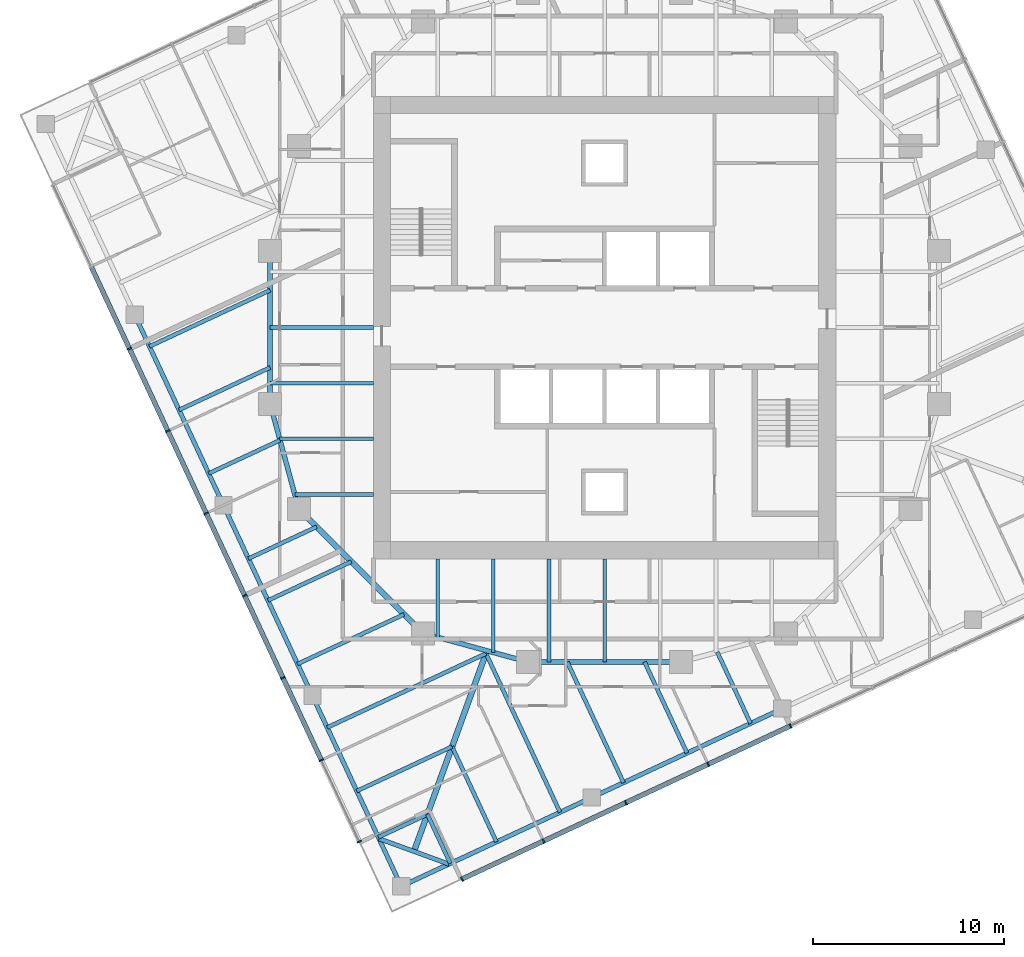
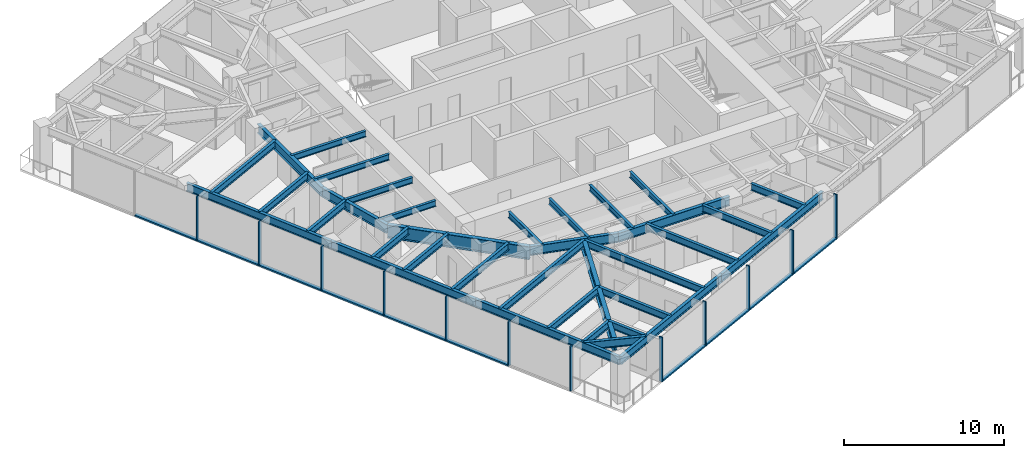
# One storey, part 2 of 13: 35 beams, 22 members, 2 elements without a shape of their own.
"""IFC4 building model written with IfcOpenShell, lengths in metres."""

from ifc_helpers import new_model, si_unit, direction, frame, origin, origin_2d, place, context, subcontext, project, spatial, rectangle, i_section, extrude, material, material_profile, profile_set, type_object, element, aggregate, save


model = new_model("IFC4")

# Units and contexts
model_context = context("Model", 3, precision=1e-05, world=origin(), true_north=direction((0.0, 1.0)))
body_context = subcontext(model_context, "Body", "Model", "MODEL_VIEW")
ifc_project = project(units=[si_unit("LENGTHUNIT", "METRE"), si_unit("AREAUNIT", "SQUARE_METRE"), si_unit("VOLUMEUNIT", "CUBIC_METRE"), si_unit("PLANEANGLEUNIT", "RADIAN"), si_unit("MASSUNIT", "GRAM", prefix="KILO")], contexts=[model_context])

# Site, building, storey
site_placement = place(None, origin())
site = spatial("IfcSite", under=ifc_project, at=site_placement, CompositionType="ELEMENT")
building_placement = place(site_placement, origin())
building = spatial("IfcBuilding", under=site, at=building_placement, Name="Torsade Residences", CompositionType="ELEMENT")
storey_placement = place(building_placement, frame((0.0, 0.0, 179.39990234375)))
storey = spatial("IfcBuildingStorey", under=building, at=storey_placement, Name="L49", CompositionType="ELEMENT", Elevation=179.39990234375)

# Beams
ifc_material_1 = material(Name="Steel grade 300", Category="steel")
ifc_material_profile_1 = material_profile(ifc_material_1, i_section(OverallWidth=0.300048828125, OverallDepth=0.89990234375, WebThickness=0.011962890625, FlangeThickness=0.02490234375, at=origin_2d()), Name="900WB175")
ifc_profile_set_1 = profile_set([ifc_material_profile_1], Name="Steel grade 300")
beam_type_1 = type_object("IfcBeamType", Name="CORNER GIRDER 900WB175", PredefinedType="BEAM", material=ifc_profile_set_1)
beam_1_placement = place(storey_placement, frame((30.02392578125, 2.5908203125, 2.800048828125), z_axis=(0.342015044723, 0.93969447651, 0.0), x_axis=(-0.93969447651, 0.342015044723, 0.0)))
element("IfcBeam", 1, at=beam_1_placement, inside=storey, type_object=beam_type_1, Name="Corner girder 01 L50", PredefinedType="BEAM", context=body_context, shape_type="SweptSolid", body=[
    extrude(i_section(OverallWidth=0.300048828125, OverallDepth=0.89990234375, WebThickness=0.011962890625, FlangeThickness=0.02490234375, at=origin_2d()), origin(), (0.0, 0.0, 1.0), 11.170654296875),
])
ifc_material_2 = material(Name="Steel grade 300", Category="steel")
ifc_material_profile_2 = material_profile(ifc_material_2, i_section(OverallWidth=0.22802734375, OverallDepth=0.60205078125, WebThickness=0.010498046875, FlangeThickness=0.014892578125, FilletRadius=0.013916015625, at=origin_2d()), Name="610UB101")
ifc_profile_set_2 = profile_set([ifc_material_profile_2], Name="Steel grade 300")
beam_type_2 = type_object("IfcBeamType", Name="CORNER TRIMMER 610UB101", PredefinedType="BEAM", material=ifc_profile_set_2)
beam_2_placement = place(storey_placement, frame((31.85107421875, 1.92578125, 2.94921875), z_axis=(-0.939698076972, 0.342005152204, 0.0), x_axis=(-0.342005152204, -0.939698076972, 0.0)))
element("IfcBeam", 2, at=beam_2_placement, inside=storey, type_object=beam_type_2, Name="Corner trimmer 01 L50", PredefinedType="BEAM", context=body_context, shape_type="SweptSolid", body=[
    extrude(i_section(OverallWidth=0.22802734375, OverallDepth=0.60205078125, WebThickness=0.010498046875, FlangeThickness=0.014892578125, FilletRadius=0.013916015625, at=origin_2d()), origin(), (0.0, 0.0, 1.0), 3.88916015625),
])
ifc_material_3 = material(Name="Steel grade 300", Category="steel")
ifc_material_profile_3 = material_profile(ifc_material_3, i_section(OverallWidth=0.22900390625, OverallDepth=0.612060546875, WebThickness=0.011962890625, FlangeThickness=0.01953125, FilletRadius=0.013916015625, at=origin_2d()), Name="610UB125")
ifc_profile_set_3 = profile_set([ifc_material_profile_3], Name="Steel grade 300")
beam_type_3 = type_object("IfcBeamType", Name="EDGE BEAM 610UB125", PredefinedType="SPANDREL", material=ifc_profile_set_3)
beam_3_placement = place(storey_placement, frame((29.35888671875, 0.763671875, 2.944091796875), z_axis=(0.906309546032, 0.422614489543, 0.0), x_axis=(-0.422614489543, 0.906309546032, 0.0)))
element("IfcBeam", 3, at=beam_3_placement, inside=storey, type_object=beam_type_3, Name="Edge beam 01 L50", PredefinedType="SPANDREL", context=body_context, shape_type="SweptSolid", body=[
    extrude(i_section(OverallWidth=0.22900390625, OverallDepth=0.612060546875, WebThickness=0.011962890625, FlangeThickness=0.01953125, FilletRadius=0.013916015625, at=origin_2d()), origin(), (0.0, 0.0, 1.0), 10.999755859375),
])
for number, where, z_axis, x_axis, name in (
    (4, (39.328125, 5.412353515625, 2.944091796875), (0.906305009094, 0.422624219007, 0.0), (-0.422624219007, 0.906305009094, 0.0), "Edge beam 02 L50"),
    (5, (15.412353515625, 30.671875, 2.944091796875), (0.422624219007, -0.906305009094, 0.0), (0.906305009094, 0.422624219007, 0.0), "Edge beam 14 L50"),
):
    element("IfcBeam", number, at=place(storey_placement, frame(where, z_axis=z_axis, x_axis=x_axis)), inside=storey, type_object=beam_type_3, Name=name, PredefinedType="SPANDREL", context=body_context, shape_type="SweptSolid", body=[
        extrude(i_section(OverallWidth=0.22900390625, OverallDepth=0.612060546875, WebThickness=0.011962890625, FlangeThickness=0.01953125, FilletRadius=0.013916015625, at=origin_2d()), origin(), (0.0, 0.0, 1.0), 11.000244140625),
    ])
for number, where, z_axis, x_axis, name in (
    (6, (20.061279296875, 20.702392578125, 2.944091796875), (0.422605988587, -0.906313510001, 0.0), (0.906313510001, 0.422605988587, 0.0), "Edge beam 15 L50"),
    (7, (24.7099609375, 10.73291015625, 2.944091796875), (0.422632720171, -0.90630104482, 0.0), (0.90630104482, 0.422632720171, 0.0), "Edge beam 16 L50"),
):
    element("IfcBeam", number, at=place(storey_placement, frame(where, z_axis=z_axis, x_axis=x_axis)), inside=storey, type_object=beam_type_3, Name=name, PredefinedType="SPANDREL", context=body_context, shape_type="SweptSolid", body=[
        extrude(i_section(OverallWidth=0.22900390625, OverallDepth=0.612060546875, WebThickness=0.011962890625, FlangeThickness=0.01953125, FilletRadius=0.013916015625, at=origin_2d()), origin(), (0.0, 0.0, 1.0), 11.0),
    ])
ifc_material_4 = material(Name="Steel grade 300", Category="steel")
ifc_material_profile_4 = material_profile(ifc_material_4, i_section(OverallWidth=0.18994140625, OverallDepth=0.4541015625, WebThickness=0.008544921875, FlangeThickness=0.0126953125, FilletRadius=0.011474609375, at=origin_2d()), Name="460UB67.1")
ifc_profile_set_4 = profile_set([ifc_material_profile_4], Name="Steel grade 300")
beam_type_4 = type_object("IfcBeamType", Name="INNER FLOOR BEAM 460UB67.1", PredefinedType="JOIST", material=ifc_profile_set_4)
for number, where, z_axis, x_axis, name in (
    (8, (40.0, 17.89990234375, 3.023193359375), (0.0, -1.0, 0.0), (1.0, 0.0, 0.0), "Inner floor beam IS04 L50"),
    (9, (37.08740234375, 17.89990234375, 3.023193359375), (0.0, -1.0, 0.0), (1.0, 0.0, 0.0), "Inner floor beam IS05 L50"),
):
    element("IfcBeam", number, at=place(storey_placement, frame(where, z_axis=z_axis, x_axis=x_axis)), inside=storey, type_object=beam_type_4, Name=name, PredefinedType="JOIST", context=body_context, shape_type="SweptSolid", body=[
        extrude(i_section(OverallWidth=0.18994140625, OverallDepth=0.4541015625, WebThickness=0.008544921875, FlangeThickness=0.0126953125, FilletRadius=0.011474609375, at=origin_2d()), origin(), (0.0, 0.0, 1.0), 5.39990234375),
    ])
beam_4_placement = place(storey_placement, frame((34.175048828125, 17.89990234375, 3.023193359375), z_axis=(0.0, -1.0, 0.0), x_axis=(1.0, 0.0, 0.0)))
element("IfcBeam", 10, at=beam_4_placement, inside=storey, type_object=beam_type_4, Name="Inner floor beam IS06 L50", PredefinedType="JOIST", context=body_context, shape_type="SweptSolid", body=[
    extrude(i_section(OverallWidth=0.18994140625, OverallDepth=0.4541015625, WebThickness=0.008544921875, FlangeThickness=0.0126953125, FilletRadius=0.011474609375, at=origin_2d()), origin(), (0.0, 0.0, 1.0), 4.902099609375),
])
beam_5_placement = place(storey_placement, frame((31.262451171875, 17.89990234375, 3.023193359375), z_axis=(0.0, -1.0, 0.0), x_axis=(1.0, 0.0, 0.0)))
element("IfcBeam", 11, at=beam_5_placement, inside=storey, type_object=beam_type_4, Name="Inner floor beam IS07 L50", PredefinedType="JOIST", context=body_context, shape_type="SweptSolid", body=[
    extrude(i_section(OverallWidth=0.18994140625, OverallDepth=0.4541015625, WebThickness=0.008544921875, FlangeThickness=0.0126953125, FilletRadius=0.011474609375, at=origin_2d()), origin(), (0.0, 0.0, 1.0), 4.10791015625),
])
for number, where, z_axis, x_axis, name in (
    (12, (27.89990234375, 30.0, 3.023193359375), (-1.0, 0.0, 0.0), (0.0, -1.0, 0.0), "Inner floor beam IW04 L50"),
    (13, (27.89990234375, 27.08740234375, 3.023193359375), (-1.0, 0.0, 0.0), (0.0, -1.0, 0.0), "Inner floor beam IW05 L50"),
):
    element("IfcBeam", number, at=place(storey_placement, frame(where, z_axis=z_axis, x_axis=x_axis)), inside=storey, type_object=beam_type_4, Name=name, PredefinedType="JOIST", context=body_context, shape_type="SweptSolid", body=[
        extrude(i_section(OverallWidth=0.18994140625, OverallDepth=0.4541015625, WebThickness=0.008544921875, FlangeThickness=0.0126953125, FilletRadius=0.011474609375, at=origin_2d()), origin(), (0.0, 0.0, 1.0), 5.39990234375),
    ])
beam_6_placement = place(storey_placement, frame((27.89990234375, 24.175048828125, 3.023193359375), z_axis=(-1.0, 0.0, 0.0), x_axis=(0.0, -1.0, 0.0)))
element("IfcBeam", 14, at=beam_6_placement, inside=storey, type_object=beam_type_4, Name="Inner floor beam IW06 L50", PredefinedType="JOIST", context=body_context, shape_type="SweptSolid", body=[
    extrude(i_section(OverallWidth=0.18994140625, OverallDepth=0.4541015625, WebThickness=0.008544921875, FlangeThickness=0.0126953125, FilletRadius=0.011474609375, at=origin_2d()), origin(), (0.0, 0.0, 1.0), 4.902099609375),
])
beam_7_placement = place(storey_placement, frame((27.89990234375, 21.262451171875, 3.023193359375), z_axis=(-1.0, 0.0, 0.0), x_axis=(0.0, -1.0, 0.0)))
element("IfcBeam", 15, at=beam_7_placement, inside=storey, type_object=beam_type_4, Name="Inner floor beam IW07 L50", PredefinedType="JOIST", context=body_context, shape_type="SweptSolid", body=[
    extrude(i_section(OverallWidth=0.18994140625, OverallDepth=0.4541015625, WebThickness=0.008544921875, FlangeThickness=0.0126953125, FilletRadius=0.011474609375, at=origin_2d()), origin(), (0.0, 0.0, 1.0), 4.10791015625),
])

# Curtain wall, members
ifc_material_5 = material(Name="Aluminium and glass", Category="aluminium")
curtain_wall_type = type_object("IfcCurtainWallType", Name="FRITTED GLASS CURTAIN WALL MID ZONE", PredefinedType="NOTDEFINED", material=ifc_material_5)
curtain_wall_1_placement = place(storey_placement, origin())
curtain_wall_1 = element("IfcCurtainWall", 16, at=curtain_wall_1_placement, inside=storey, type_object=curtain_wall_type, Name="Curtain wall L49 face 1", PredefinedType="NOTDEFINED")
ifc_material_6 = material(Name="Aluminium mullion", Category="aluminium")
ifc_material_profile_5 = material_profile(ifc_material_6, rectangle(XDim=0.25, YDim=0.080078125, at=origin_2d()), Name="MID ZONE CURTAIN WALL MULLION 250x80")
ifc_profile_set_5 = profile_set([ifc_material_profile_5], Name="Aluminium mullion")
member_type_1 = type_object("IfcMemberType", Name="MID ZONE CURTAIN WALL MULLION 250x80", PredefinedType="MULLION", material=ifc_profile_set_5)
member_1_placement = place(storey_placement, frame((32.53662109375, 1.14208984375, 0.0), z_axis=(0.0, 0.0, 1.0), x_axis=(-0.422618261978, 0.906307786926, 0.0)))
member_1 = element("IfcMember", 17, at=member_1_placement, type_object=member_type_1, Name="Mullion 1", PredefinedType="MULLION", context=body_context, shape_type="SweptSolid", body=[
    extrude(rectangle(XDim=0.25, YDim=0.080078125, at=origin_2d()), origin(), (0.0, 0.0, 1.0), 3.400146484375),
])
member_2_placement = place(storey_placement, frame((36.805419921875, 3.132568359375, 0.0), z_axis=(0.0, 0.0, 1.0), x_axis=(-0.422618261978, 0.906307786926, 0.0)))
member_2 = element("IfcMember", 18, at=member_2_placement, type_object=member_type_1, Name="Mullion 2", PredefinedType="MULLION", context=body_context, shape_type="SweptSolid", body=[
    extrude(rectangle(XDim=0.25, YDim=0.080078125, at=origin_2d()), origin(), (0.0, 0.0, 1.0), 3.400146484375),
])
member_3_placement = place(storey_placement, frame((41.1103515625, 5.14013671875, 0.0), z_axis=(0.0, 0.0, 1.0), x_axis=(-0.422618261978, 0.906307786926, 0.0)))
member_3 = element("IfcMember", 19, at=member_3_placement, type_object=member_type_1, Name="Mullion 3", PredefinedType="MULLION", context=body_context, shape_type="SweptSolid", body=[
    extrude(rectangle(XDim=0.25, YDim=0.080078125, at=origin_2d()), origin(), (0.0, 0.0, 1.0), 3.400146484375),
])
member_4_placement = place(storey_placement, frame((45.415283203125, 7.1474609375, 0.0), z_axis=(0.0, 0.0, 1.0), x_axis=(-0.422618261978, 0.906307786926, 0.0)))
member_4 = element("IfcMember", 20, at=member_4_placement, type_object=member_type_1, Name="Mullion 4", PredefinedType="MULLION", context=body_context, shape_type="SweptSolid", body=[
    extrude(rectangle(XDim=0.25, YDim=0.080078125, at=origin_2d()), origin(), (0.0, 0.0, 1.0), 3.400146484375),
])
member_5_placement = place(storey_placement, frame((49.72021484375, 9.155029296875, 0.0), z_axis=(0.0, 0.0, 1.0), x_axis=(-0.422618261978, 0.906307786926, 0.0)))
member_5 = element("IfcMember", 21, at=member_5_placement, type_object=member_type_1, Name="Mullion 5", PredefinedType="MULLION", context=body_context, shape_type="SweptSolid", body=[
    extrude(rectangle(XDim=0.25, YDim=0.080078125, at=origin_2d()), origin(), (0.0, 0.0, 1.0), 3.400146484375),
])

curtain_wall_2_placement = place(storey_placement, origin())
curtain_wall_2 = element("IfcCurtainWall", 22, at=curtain_wall_2_placement, inside=storey, type_object=curtain_wall_type, Name="Curtain wall L49 face 10", PredefinedType="NOTDEFINED")
member_6_placement = place(storey_placement, frame((15.14013671875, 28.8896484375, 0.0), z_axis=(0.0, 0.0, 1.0), x_axis=(0.906307786926, 0.422618261978, 0.0)))
member_6 = element("IfcMember", 23, at=member_6_placement, type_object=member_type_1, Name="Mullion 3", PredefinedType="MULLION", context=body_context, shape_type="SweptSolid", body=[
    extrude(rectangle(XDim=0.25, YDim=0.080078125, at=origin_2d()), origin(), (0.0, 0.0, 1.0), 3.400146484375),
])
member_7_placement = place(storey_placement, frame((17.1474609375, 24.584716796875, 0.0), z_axis=(0.0, 0.0, 1.0), x_axis=(0.906307786926, 0.422618261978, 0.0)))
member_7 = element("IfcMember", 24, at=member_7_placement, type_object=member_type_1, Name="Mullion 4", PredefinedType="MULLION", context=body_context, shape_type="SweptSolid", body=[
    extrude(rectangle(XDim=0.25, YDim=0.080078125, at=origin_2d()), origin(), (0.0, 0.0, 1.0), 3.400146484375),
])
member_8_placement = place(storey_placement, frame((19.155029296875, 20.27978515625, 0.0), z_axis=(0.0, 0.0, 1.0), x_axis=(0.906307786926, 0.422618261978, 0.0)))
member_8 = element("IfcMember", 25, at=member_8_placement, type_object=member_type_1, Name="Mullion 5", PredefinedType="MULLION", context=body_context, shape_type="SweptSolid", body=[
    extrude(rectangle(XDim=0.25, YDim=0.080078125, at=origin_2d()), origin(), (0.0, 0.0, 1.0), 3.400146484375),
])
member_9_placement = place(storey_placement, frame((21.162353515625, 15.974853515625, 0.0), z_axis=(0.0, 0.0, 1.0), x_axis=(0.906307786926, 0.422618261978, 0.0)))
member_9 = element("IfcMember", 26, at=member_9_placement, type_object=member_type_1, Name="Mullion 6", PredefinedType="MULLION", context=body_context, shape_type="SweptSolid", body=[
    extrude(rectangle(XDim=0.25, YDim=0.080078125, at=origin_2d()), origin(), (0.0, 0.0, 1.0), 3.400146484375),
])
member_10_placement = place(storey_placement, frame((23.169677734375, 11.669921875, 0.0), z_axis=(0.0, 0.0, 1.0), x_axis=(0.906307786926, 0.422618261978, 0.0)))
member_10 = element("IfcMember", 27, at=member_10_placement, type_object=member_type_1, Name="Mullion 7", PredefinedType="MULLION", context=body_context, shape_type="SweptSolid", body=[
    extrude(rectangle(XDim=0.25, YDim=0.080078125, at=origin_2d()), origin(), (0.0, 0.0, 1.0), 3.400146484375),
])
member_11_placement = place(storey_placement, frame((25.17724609375, 7.364990234375, 0.0), z_axis=(0.0, 0.0, 1.0), x_axis=(0.906307786926, 0.422618261978, 0.0)))
member_11 = element("IfcMember", 28, at=member_11_placement, type_object=member_type_1, Name="Mullion 8", PredefinedType="MULLION", context=body_context, shape_type="SweptSolid", body=[
    extrude(rectangle(XDim=0.25, YDim=0.080078125, at=origin_2d()), origin(), (0.0, 0.0, 1.0), 3.400146484375),
])
member_12_placement = place(storey_placement, frame((27.167724609375, 3.09619140625, 0.0), z_axis=(0.0, 0.0, 1.0), x_axis=(0.906307786926, 0.422618261978, 0.0)))
member_12 = element("IfcMember", 29, at=member_12_placement, type_object=member_type_1, Name="Mullion 9", PredefinedType="MULLION", context=body_context, shape_type="SweptSolid", body=[
    extrude(rectangle(XDim=0.25, YDim=0.080078125, at=origin_2d()), origin(), (0.0, 0.0, 1.0), 3.400146484375),
])

# Member
ifc_material_7 = material(Name="Aluminium transom", Category="aluminium")
ifc_material_profile_6 = material_profile(ifc_material_7, rectangle(XDim=0.25, YDim=0.110107421875, at=origin_2d()), Name="MID ZONE CURTAIN WALL TRANSOM 250x110")
ifc_profile_set_6 = profile_set([ifc_material_profile_6], Name="Aluminium transom")
member_type_2 = type_object("IfcMemberType", Name="MID ZONE CURTAIN WALL TRANSOM 250x110", PredefinedType="USERDEFINED", material=ifc_profile_set_6)
member_13_placement = place(storey_placement, frame((32.572998046875, 1.158935546875, 0.05517578125), z_axis=(0.906296268578, 0.422642962277, 0.0), x_axis=(-0.422642962277, 0.906296268578, 0.0)))
member_13 = element("IfcMember", 30, at=member_13_placement, type_object=member_type_2, Name="Transom 1.1", ObjectType="TRANSOM", PredefinedType="USERDEFINED", context=body_context, shape_type="SweptSolid", body=[
    extrude(rectangle(XDim=0.25, YDim=0.110107421875, at=origin_2d()), origin(), (0.0, 0.0, 1.0), 4.6298828125),
])

member_14_placement = place(storey_placement, frame((36.841552734375, 3.1494140625, 0.05517578125), z_axis=(0.906305976097, 0.422622145291, 0.0), x_axis=(-0.422622145291, 0.906305976097, 0.0)))
member_14 = element("IfcMember", 31, at=member_14_placement, type_object=member_type_2, Name="Transom 2.1", ObjectType="TRANSOM", PredefinedType="USERDEFINED", context=body_context, shape_type="SweptSolid", body=[
    extrude(rectangle(XDim=0.25, YDim=0.110107421875, at=origin_2d()), origin(), (0.0, 0.0, 1.0), 4.669921875),
])

member_15_placement = place(storey_placement, frame((41.146484375, 5.156982421875, 0.05517578125), z_axis=(0.906305976097, 0.422622145291, 0.0), x_axis=(-0.422622145291, 0.906305976097, 0.0)))
member_15 = element("IfcMember", 32, at=member_15_placement, type_object=member_type_2, Name="Transom 3.1", ObjectType="TRANSOM", PredefinedType="USERDEFINED", context=body_context, shape_type="SweptSolid", body=[
    extrude(rectangle(XDim=0.25, YDim=0.110107421875, at=origin_2d()), origin(), (0.0, 0.0, 1.0), 4.669921875),
])

member_16_placement = place(storey_placement, frame((45.451416015625, 7.164306640625, 0.05517578125), z_axis=(0.90631531293, 0.422602122035, 0.0), x_axis=(-0.422602122035, 0.90631531293, 0.0)))
member_16 = element("IfcMember", 33, at=member_16_placement, type_object=member_type_2, Name="Transom 4.1", ObjectType="TRANSOM", PredefinedType="USERDEFINED", context=body_context, shape_type="SweptSolid", body=[
    extrude(rectangle(XDim=0.25, YDim=0.110107421875, at=origin_2d()), origin(), (0.0, 0.0, 1.0), 4.670166015625),
])

aggregate(curtain_wall_1, [member_1, member_2, member_3, member_4, member_5, member_13, member_14, member_15, member_16])

member_17_placement = place(storey_placement, frame((13.1494140625, 33.158447265625, 0.05517578125), z_axis=(0.422622145291, -0.906305976097, 0.0), x_axis=(0.906305976097, 0.422622145291, 0.0)))
member_17 = element("IfcMember", 34, at=member_17_placement, type_object=member_type_2, Name="Transom 2.1", ObjectType="TRANSOM", PredefinedType="USERDEFINED", context=body_context, shape_type="SweptSolid", body=[
    extrude(rectangle(XDim=0.25, YDim=0.110107421875, at=origin_2d()), origin(), (0.0, 0.0, 1.0), 4.669921875),
])

member_18_placement = place(storey_placement, frame((15.156982421875, 28.853515625, 0.05517578125), z_axis=(0.422622145291, -0.906305976097, 0.0), x_axis=(0.906305976097, 0.422622145291, 0.0)))
member_18 = element("IfcMember", 35, at=member_18_placement, type_object=member_type_2, Name="Transom 3.1", ObjectType="TRANSOM", PredefinedType="USERDEFINED", context=body_context, shape_type="SweptSolid", body=[
    extrude(rectangle(XDim=0.25, YDim=0.110107421875, at=origin_2d()), origin(), (0.0, 0.0, 1.0), 4.669921875),
])

member_19_placement = place(storey_placement, frame((17.164306640625, 24.548583984375, 0.05517578125), z_axis=(0.422602122035, -0.90631531293, 0.0), x_axis=(0.90631531293, 0.422602122035, 0.0)))
member_19 = element("IfcMember", 36, at=member_19_placement, type_object=member_type_2, Name="Transom 4.1", ObjectType="TRANSOM", PredefinedType="USERDEFINED", context=body_context, shape_type="SweptSolid", body=[
    extrude(rectangle(XDim=0.25, YDim=0.110107421875, at=origin_2d()), origin(), (0.0, 0.0, 1.0), 4.670166015625),
])

member_20_placement = place(storey_placement, frame((19.171875, 20.243408203125, 0.05517578125), z_axis=(0.422622145291, -0.906305976097, 0.0), x_axis=(0.906305976097, 0.422622145291, 0.0)))
member_20 = element("IfcMember", 37, at=member_20_placement, type_object=member_type_2, Name="Transom 5.1", ObjectType="TRANSOM", PredefinedType="USERDEFINED", context=body_context, shape_type="SweptSolid", body=[
    extrude(rectangle(XDim=0.25, YDim=0.110107421875, at=origin_2d()), origin(), (0.0, 0.0, 1.0), 4.669921875),
])

member_21_placement = place(storey_placement, frame((21.17919921875, 15.9384765625, 0.05517578125), z_axis=(0.422622145291, -0.906305976097, 0.0), x_axis=(0.906305976097, 0.422622145291, 0.0)))
member_21 = element("IfcMember", 38, at=member_21_placement, type_object=member_type_2, Name="Transom 6.1", ObjectType="TRANSOM", PredefinedType="USERDEFINED", context=body_context, shape_type="SweptSolid", body=[
    extrude(rectangle(XDim=0.25, YDim=0.110107421875, at=origin_2d()), origin(), (0.0, 0.0, 1.0), 4.669921875),
])

member_22_placement = place(storey_placement, frame((23.186767578125, 11.633544921875, 0.05517578125), z_axis=(0.422622145291, -0.906305976097, 0.0), x_axis=(0.906305976097, 0.422622145291, 0.0)))
member_22 = element("IfcMember", 39, at=member_22_placement, type_object=member_type_2, Name="Transom 7.1", ObjectType="TRANSOM", PredefinedType="USERDEFINED", context=body_context, shape_type="SweptSolid", body=[
    extrude(rectangle(XDim=0.25, YDim=0.110107421875, at=origin_2d()), origin(), (0.0, 0.0, 1.0), 4.669921875),
])

aggregate(curtain_wall_2, [member_6, member_7, member_8, member_9, member_10, member_11, member_12, member_17, member_18, member_19, member_20, member_21, member_22])

# Beams
ifc_material_8 = material(Name="Steel grade 300", Category="steel")
ifc_material_profile_7 = material_profile(ifc_material_8, i_section(OverallWidth=0.300048828125, OverallDepth=1.0, WebThickness=0.01611328125, FlangeThickness=0.028076171875, at=origin_2d()), Name="1000WB215")
ifc_profile_set_7 = profile_set([ifc_material_profile_7], Name="Steel grade 300")
beam_type_5 = type_object("IfcBeamType", Name="RING CORNER GIRDER 1000WB215", PredefinedType="BEAM", material=ifc_profile_set_7)
beam_8_placement = place(storey_placement, frame((24.0, 20.5, 2.75), z_axis=(0.707106781187, -0.707106781187, 0.0), x_axis=(0.707106781187, 0.707106781187, 0.0)))
element("IfcBeam", 40, at=beam_8_placement, inside=storey, type_object=beam_type_5, Name="Ring girder IR11 L50", PredefinedType="BEAM", context=body_context, shape_type="SweptSolid", body=[
    extrude(i_section(OverallWidth=0.300048828125, OverallDepth=1.0, WebThickness=0.01611328125, FlangeThickness=0.028076171875, at=origin_2d()), origin(), (0.0, 0.0, 1.0), 9.1923828125),
])
ifc_material_9 = material(Name="Steel grade 300", Category="steel")
ifc_material_profile_8 = material_profile(ifc_material_9, i_section(OverallWidth=0.25, OverallDepth=0.699951171875, WebThickness=0.010009765625, FlangeThickness=0.02001953125, at=origin_2d()), Name="700WB130")
ifc_profile_set_8 = profile_set([ifc_material_profile_8], Name="Steel grade 300")
beam_type_6 = type_object("IfcBeamType", Name="RING GIRDER 700WB130", PredefinedType="BEAM", material=ifc_profile_set_8)
beam_9_placement = place(storey_placement, frame((22.5, 34.0, 2.900146484375), z_axis=(0.0, -1.0, 0.0), x_axis=(1.0, 0.0, 0.0)))
element("IfcBeam", 41, at=beam_9_placement, inside=storey, type_object=beam_type_6, Name="Ring girder IR09 L50", PredefinedType="BEAM", context=body_context, shape_type="SweptSolid", body=[
    extrude(i_section(OverallWidth=0.25, OverallDepth=0.699951171875, WebThickness=0.010009765625, FlangeThickness=0.02001953125, at=origin_2d()), origin(), (0.0, 0.0, 1.0), 8.0),
])
for number, where, z_axis, x_axis, name in (
    (42, (22.5, 26.0, 2.900146484375), (0.263117405792, -0.964763821238, 0.0), (0.964763821238, 0.263117405792, 0.0), "Ring girder IR10 L50"),
    (43, (30.5, 14.0, 2.900146484375), (0.964763821238, -0.263117405792, 0.0), (0.263117405792, 0.964763821238, 0.0), "Ring girder IR12 L50"),
):
    element("IfcBeam", number, at=place(storey_placement, frame(where, z_axis=z_axis, x_axis=x_axis)), inside=storey, type_object=beam_type_6, Name=name, PredefinedType="BEAM", context=body_context, shape_type="SweptSolid", body=[
        extrude(i_section(OverallWidth=0.25, OverallDepth=0.699951171875, WebThickness=0.010009765625, FlangeThickness=0.02001953125, at=origin_2d()), origin(), (0.0, 0.0, 1.0), 5.700927734375),
    ])
beam_10_placement = place(storey_placement, frame((36.0, 12.5, 2.900146484375), z_axis=(1.0, 0.0, 0.0), x_axis=(0.0, 1.0, 0.0)))
element("IfcBeam", 44, at=beam_10_placement, inside=storey, type_object=beam_type_6, Name="Ring girder IR13 L50", PredefinedType="BEAM", context=body_context, shape_type="SweptSolid", body=[
    extrude(i_section(OverallWidth=0.25, OverallDepth=0.699951171875, WebThickness=0.010009765625, FlangeThickness=0.02001953125, at=origin_2d()), origin(), (0.0, 0.0, 1.0), 8.0),
])
ifc_material_10 = material(Name="Steel grade 300", Category="steel")
ifc_material_profile_9 = material_profile(ifc_material_10, i_section(OverallWidth=0.208984375, OverallDepth=0.528076171875, WebThickness=0.009521484375, FlangeThickness=0.01318359375, FilletRadius=0.013916015625, at=origin_2d()), Name="530UB82.0")
ifc_profile_set_9 = profile_set([ifc_material_profile_9], Name="Steel grade 300")
beam_type_7 = type_object("IfcBeamType", Name="SECONDARY BEAM 530UB82.0", PredefinedType="JOIST", material=ifc_profile_set_9)
beam_11_placement = place(storey_placement, frame((31.9267578125, 1.9609375, 2.986083984375), z_axis=(-0.422644877104, 0.906295375613, 0.0), x_axis=(-0.906295375613, -0.422644877104, 0.0)))
element("IfcBeam", 45, at=beam_11_placement, inside=storey, type_object=beam_type_7, Name="Floor beam FS01 L50", PredefinedType="JOIST", context=body_context, shape_type="SweptSolid", body=[
    extrude(i_section(OverallWidth=0.208984375, OverallDepth=0.528076171875, WebThickness=0.009521484375, FlangeThickness=0.01318359375, FilletRadius=0.013916015625, at=origin_2d()), origin(), (0.0, 0.0, 1.0), 2.833251953125),
])
beam_12_placement = place(storey_placement, frame((34.343505859375, 3.088134765625, 2.986083984375), z_axis=(-0.422632720171, 0.90630104482, 0.0), x_axis=(-0.90630104482, -0.422632720171, 0.0)))
element("IfcBeam", 46, at=beam_12_placement, inside=storey, type_object=beam_type_7, Name="Floor beam FS02 L50", PredefinedType="JOIST", context=body_context, shape_type="SweptSolid", body=[
    extrude(i_section(OverallWidth=0.208984375, OverallDepth=0.528076171875, WebThickness=0.009521484375, FlangeThickness=0.01318359375, FilletRadius=0.013916015625, at=origin_2d()), origin(), (0.0, 0.0, 1.0), 5.5),
])
beam_13_placement = place(storey_placement, frame((37.666748046875, 4.6376953125, 2.986083984375), z_axis=(-0.422618627092, 0.90630761667, 0.0), x_axis=(-0.90630761667, -0.422618627092, 0.0)))
element("IfcBeam", 47, at=beam_13_placement, inside=storey, type_object=beam_type_7, Name="Floor beam FS03 L50", PredefinedType="JOIST", context=body_context, shape_type="SweptSolid", body=[
    extrude(i_section(OverallWidth=0.208984375, OverallDepth=0.528076171875, WebThickness=0.009521484375, FlangeThickness=0.01318359375, FilletRadius=0.013916015625, at=origin_2d()), origin(), (0.0, 0.0, 1.0), 9.166748046875),
])
beam_14_placement = place(storey_placement, frame((40.98974609375, 6.187255859375, 2.986083984375), z_axis=(-0.422609131726, 0.906312044376, 0.0), x_axis=(-0.906312044376, -0.422609131726, 0.0)))
element("IfcBeam", 48, at=beam_14_placement, inside=storey, type_object=beam_type_7, Name="Floor beam FS04 L50", PredefinedType="JOIST", context=body_context, shape_type="SweptSolid", body=[
    extrude(i_section(OverallWidth=0.208984375, OverallDepth=0.528076171875, WebThickness=0.009521484375, FlangeThickness=0.01318359375, FilletRadius=0.013916015625, at=origin_2d()), origin(), (0.0, 0.0, 1.0), 6.96533203125),
])
beam_15_placement = place(storey_placement, frame((44.31298828125, 7.73681640625, 2.986083984375), z_axis=(-0.422631142882, 0.90630178035, 0.0), x_axis=(-0.90630178035, -0.422631142882, 0.0)))
element("IfcBeam", 49, at=beam_15_placement, inside=storey, type_object=beam_type_7, Name="Floor beam FS05 L50", PredefinedType="JOIST", context=body_context, shape_type="SweptSolid", body=[
    extrude(i_section(OverallWidth=0.208984375, OverallDepth=0.528076171875, WebThickness=0.009521484375, FlangeThickness=0.01318359375, FilletRadius=0.013916015625, at=origin_2d()), origin(), (0.0, 0.0, 1.0), 5.255615234375),
])
beam_16_placement = place(storey_placement, frame((47.635986328125, 9.286376953125, 2.986083984375), z_axis=(-0.422635442612, 0.906299775267, 0.0), x_axis=(-0.906299775267, -0.422635442612, 0.0)))
element("IfcBeam", 50, at=beam_16_placement, inside=storey, type_object=beam_type_7, Name="Floor beam FS06 L50", PredefinedType="JOIST", context=body_context, shape_type="SweptSolid", body=[
    extrude(i_section(OverallWidth=0.208984375, OverallDepth=0.528076171875, WebThickness=0.009521484375, FlangeThickness=0.01318359375, FilletRadius=0.013916015625, at=origin_2d()), origin(), (0.0, 0.0, 1.0), 4.116455078125),
])
beam_17_placement = place(storey_placement, frame((16.187255859375, 29.01025390625, 2.986083984375), z_axis=(0.906312044376, 0.422609131726, 0.0), x_axis=(-0.422609131726, 0.906312044376, 0.0)))
element("IfcBeam", 51, at=beam_17_placement, inside=storey, type_object=beam_type_7, Name="Floor beam FW04 L50", PredefinedType="JOIST", context=body_context, shape_type="SweptSolid", body=[
    extrude(i_section(OverallWidth=0.208984375, OverallDepth=0.528076171875, WebThickness=0.009521484375, FlangeThickness=0.01318359375, FilletRadius=0.013916015625, at=origin_2d()), origin(), (0.0, 0.0, 1.0), 6.96533203125),
])
beam_18_placement = place(storey_placement, frame((17.73681640625, 25.68701171875, 2.986083984375), z_axis=(0.90630178035, 0.422631142882, 0.0), x_axis=(-0.422631142882, 0.90630178035, 0.0)))
element("IfcBeam", 52, at=beam_18_placement, inside=storey, type_object=beam_type_7, Name="Floor beam FW05 L50", PredefinedType="JOIST", context=body_context, shape_type="SweptSolid", body=[
    extrude(i_section(OverallWidth=0.208984375, OverallDepth=0.528076171875, WebThickness=0.009521484375, FlangeThickness=0.01318359375, FilletRadius=0.013916015625, at=origin_2d()), origin(), (0.0, 0.0, 1.0), 5.255615234375),
])
beam_19_placement = place(storey_placement, frame((19.286376953125, 22.364013671875, 2.986083984375), z_axis=(0.906299775267, 0.422635442612, 0.0), x_axis=(-0.422635442612, 0.906299775267, 0.0)))
element("IfcBeam", 53, at=beam_19_placement, inside=storey, type_object=beam_type_7, Name="Floor beam FW06 L50", PredefinedType="JOIST", context=body_context, shape_type="SweptSolid", body=[
    extrude(i_section(OverallWidth=0.208984375, OverallDepth=0.528076171875, WebThickness=0.009521484375, FlangeThickness=0.01318359375, FilletRadius=0.013916015625, at=origin_2d()), origin(), (0.0, 0.0, 1.0), 4.116455078125),
])
beam_20_placement = place(storey_placement, frame((21.3642578125, 17.907958984375, 2.986083984375), z_axis=(0.906295680735, 0.422644222818, 0.0), x_axis=(-0.422644222818, 0.906295680735, 0.0)))
element("IfcBeam", 54, at=beam_20_placement, inside=storey, type_object=beam_type_7, Name="Floor beam FW07 L50", PredefinedType="JOIST", context=body_context, shape_type="SweptSolid", body=[
    extrude(i_section(OverallWidth=0.208984375, OverallDepth=0.528076171875, WebThickness=0.009521484375, FlangeThickness=0.01318359375, FilletRadius=0.013916015625, at=origin_2d()), origin(), (0.0, 0.0, 1.0), 3.933837890625),
])
beam_21_placement = place(storey_placement, frame((22.3857421875, 15.7177734375, 2.986083984375), z_axis=(0.906307500203, 0.422618876857, 0.0), x_axis=(-0.422618876857, 0.906307500203, 0.0)))
element("IfcBeam", 55, at=beam_21_placement, inside=storey, type_object=beam_type_7, Name="Floor beam FW08 L50", PredefinedType="JOIST", context=body_context, shape_type="SweptSolid", body=[
    extrude(i_section(OverallWidth=0.208984375, OverallDepth=0.528076171875, WebThickness=0.009521484375, FlangeThickness=0.01318359375, FilletRadius=0.013916015625, at=origin_2d()), origin(), (0.0, 0.0, 1.0), 4.813232421875),
])
beam_22_placement = place(storey_placement, frame((23.935302734375, 12.39453125, 2.986083984375), z_axis=(0.906293692233, 0.42264848683, 0.0), x_axis=(-0.42264848683, 0.906293692233, 0.0)))
element("IfcBeam", 56, at=beam_22_placement, inside=storey, type_object=beam_type_7, Name="Floor beam FW09 L50", PredefinedType="JOIST", context=body_context, shape_type="SweptSolid", body=[
    extrude(i_section(OverallWidth=0.208984375, OverallDepth=0.528076171875, WebThickness=0.009521484375, FlangeThickness=0.01318359375, FilletRadius=0.013916015625, at=origin_2d()), origin(), (0.0, 0.0, 1.0), 6.14794921875),
])
beam_23_placement = place(storey_placement, frame((25.48486328125, 9.071533203125, 2.986083984375), z_axis=(0.90630761667, 0.422618627092, 0.0), x_axis=(-0.422618627092, 0.90630761667, 0.0)))
element("IfcBeam", 57, at=beam_23_placement, inside=storey, type_object=beam_type_7, Name="Floor beam FW10 L50", PredefinedType="JOIST", context=body_context, shape_type="SweptSolid", body=[
    extrude(i_section(OverallWidth=0.208984375, OverallDepth=0.528076171875, WebThickness=0.009521484375, FlangeThickness=0.01318359375, FilletRadius=0.013916015625, at=origin_2d()), origin(), (0.0, 0.0, 1.0), 9.166748046875),
])
beam_24_placement = place(storey_placement, frame((27.034423828125, 5.748291015625, 2.986083984375), z_axis=(0.90630104482, 0.422632720171, 0.0), x_axis=(-0.422632720171, 0.90630104482, 0.0)))
element("IfcBeam", 58, at=beam_24_placement, inside=storey, type_object=beam_type_7, Name="Floor beam FW11 L50", PredefinedType="JOIST", context=body_context, shape_type="SweptSolid", body=[
    extrude(i_section(OverallWidth=0.208984375, OverallDepth=0.528076171875, WebThickness=0.009521484375, FlangeThickness=0.01318359375, FilletRadius=0.013916015625, at=origin_2d()), origin(), (0.0, 0.0, 1.0), 5.5),
])
beam_25_placement = place(storey_placement, frame((28.161376953125, 3.33154296875, 2.986083984375), z_axis=(0.906328379221, 0.42257409885, 0.0), x_axis=(-0.42257409885, 0.906328379221, 0.0)))
element("IfcBeam", 59, at=beam_25_placement, inside=storey, type_object=beam_type_7, Name="Floor beam FW12 L50", PredefinedType="JOIST", context=body_context, shape_type="SweptSolid", body=[
    extrude(i_section(OverallWidth=0.208984375, OverallDepth=0.528076171875, WebThickness=0.009521484375, FlangeThickness=0.01318359375, FilletRadius=0.013916015625, at=origin_2d()), origin(), (0.0, 0.0, 1.0), 2.833251953125),
])

save(model, "model.ifc")
